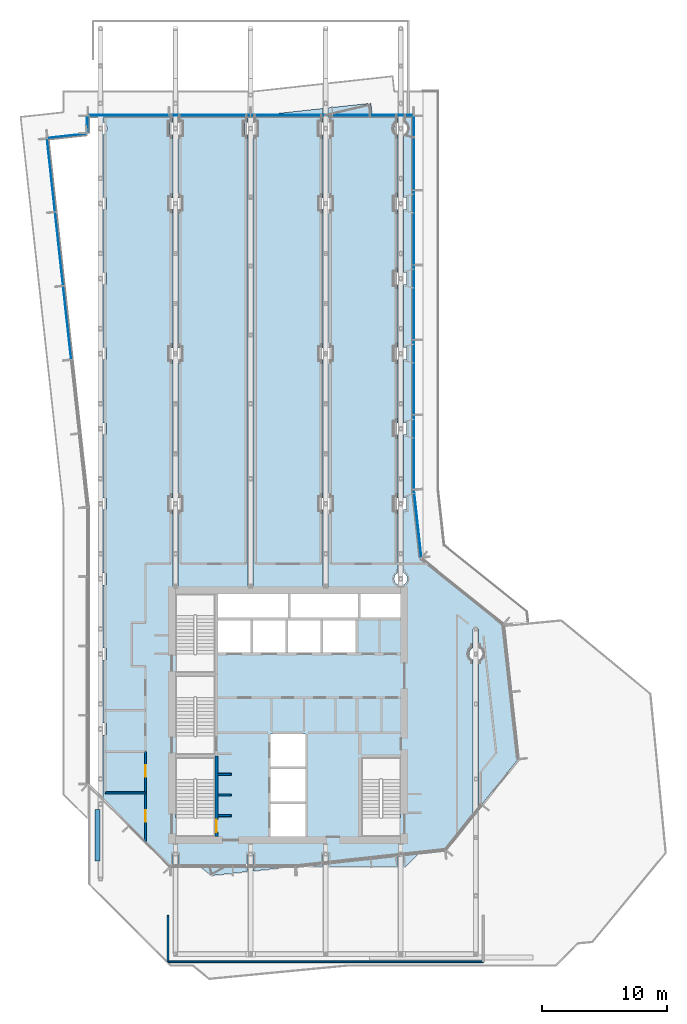
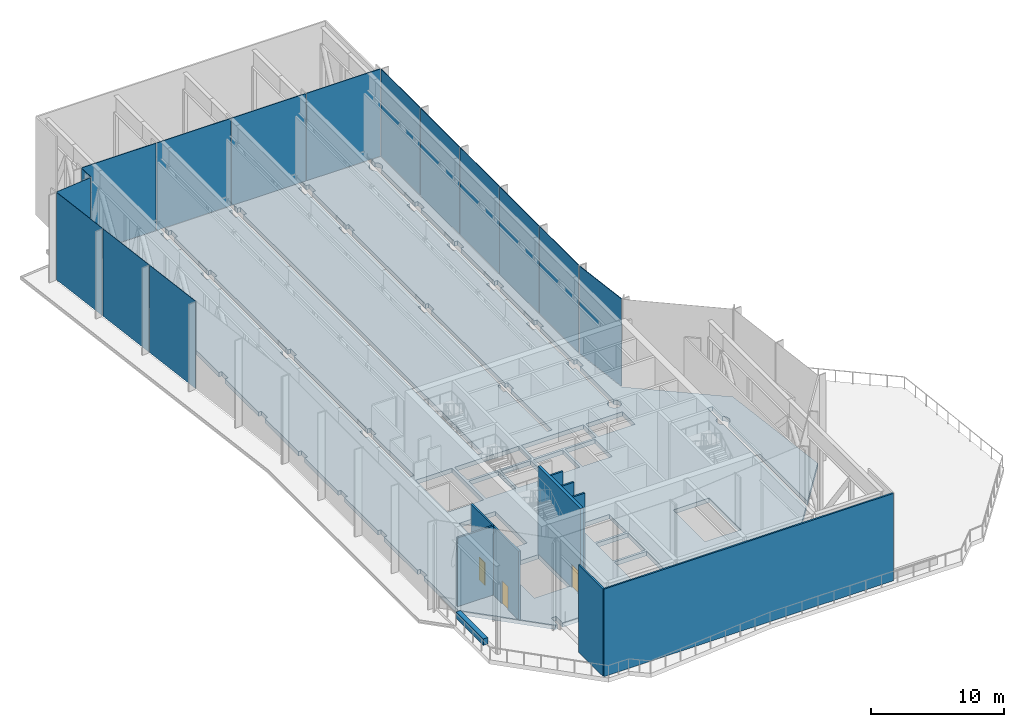
# One storey, part 11 of 22: 15 plates, 10 walls, 3 doors, 1 slab, 3 openings, 6 elements without a shape of their own.
"""IFC4 building model written with IfcOpenShell, lengths in metres."""

from ifc_helpers import new_model, si_unit, direction, frame, frame_2d, origin, origin_2d, place, context, subcontext, project, spatial, polyline, rectangle, outline, extrude, material, layer, layer_set, type_object, element, fill, aggregate, save


model = new_model("IFC4")

# Units and contexts
model_context = context("Model", 3, precision=1e-05, world=origin(), true_north=direction((0.0, 1.0)))
body_context = subcontext(model_context, "Body", "Model", "MODEL_VIEW")
ifc_project = project(units=[si_unit("LENGTHUNIT", "METRE"), si_unit("AREAUNIT", "SQUARE_METRE"), si_unit("VOLUMEUNIT", "CUBIC_METRE"), si_unit("PLANEANGLEUNIT", "RADIAN"), si_unit("MASSUNIT", "GRAM", prefix="KILO")], contexts=[model_context])

# Site, building, storey
site_placement = place(None, origin())
site = spatial("IfcSite", under=ifc_project, at=site_placement, CompositionType="ELEMENT")
building_placement = place(site_placement, origin())
building = spatial("IfcBuilding", under=site, at=building_placement, Name="Welwitschia Terrace Campus", CompositionType="ELEMENT")
storey_placement = place(building_placement, frame((0.0, 0.0, 197.0)))
storey = spatial("IfcBuildingStorey", under=building, at=storey_placement, Name="L44", CompositionType="ELEMENT", Elevation=197.0)

# Curtain wall, plate
ifc_material_1 = material(Name="Bronze anodised aluminium", Category="aluminium")
ifc_layer_1 = layer(ifc_material_1, 0.159912109375)
ifc_layer_set_1 = layer_set([ifc_layer_1], Name="Bronze anodised aluminium")
curtain_wall_type = type_object("IfcCurtainWallType", Name="Curtain wall CW3 commons 6000", PredefinedType="NOTDEFINED", material=ifc_layer_set_1)
curtain_wall_1_placement = place(storey_placement, origin())
curtain_wall_1 = element("IfcCurtainWall", 1, at=curtain_wall_1_placement, inside=storey, type_object=curtain_wall_type, Name="CW L44.7.0", PredefinedType="NOTDEFINED")
ifc_material_2 = material(Name="Tinted bronze-grey glass", Category="glass")
ifc_layer_2 = layer(ifc_material_2, 0.031982421875)
ifc_layer_set_2 = layer_set([ifc_layer_2], Name="Tinted bronze-grey glass")
plate_type_1 = type_object("IfcPlateType", Name="Glass panel 32 tinted", PredefinedType="CURTAIN_PANEL", material=ifc_layer_set_2)
plate_1_placement = place(storey_placement, frame((-2.666259765625, 61.40966796875, 0.0), z_axis=(0.0, 0.0, 1.0), x_axis=(-0.994056338222, -0.108866874852, 0.0)))
plate_1 = element("IfcPlate", 2, at=plate_1_placement, type_object=plate_type_1, Name="Panel L44.7.0.0", PredefinedType="CURTAIN_PANEL", context=body_context, shape_type="SweptSolid", body=[
    extrude(rectangle(XDim=3.132080078125, YDim=0.031982421875, at=origin_2d()), origin(), (0.0, 0.0, 1.0), 8.050048828125),
])
aggregate(curtain_wall_1, [plate_1])

# Curtain wall, plates
curtain_wall_2_placement = place(storey_placement, origin())
curtain_wall_2 = element("IfcCurtainWall", 3, at=curtain_wall_2_placement, inside=storey, type_object=curtain_wall_type, Name="CW L44.8.0", PredefinedType="NOTDEFINED")
plate_2_placement = place(storey_placement, frame((-3.957763671875, 58.265869140625, 0.0), z_axis=(0.0, 0.0, 1.0), x_axis=(0.108866874852, -0.994056338222, 0.0)))
plate_2 = element("IfcPlate", 4, at=plate_2_placement, type_object=plate_type_1, Name="Panel L44.8.0.0", PredefinedType="CURTAIN_PANEL", context=body_context, shape_type="SweptSolid", body=[
    extrude(rectangle(XDim=5.848876953125, YDim=0.031982421875, at=origin_2d()), origin(), (0.0, 0.0, 1.0), 8.050048828125),
])
plate_3_placement = place(storey_placement, frame((-3.31298828125, 52.377197265625, 0.0), z_axis=(0.0, 0.0, 1.0), x_axis=(0.108866874852, -0.994056338222, 0.0)))
plate_3 = element("IfcPlate", 5, at=plate_3_placement, type_object=plate_type_1, Name="Panel L44.8.0.1", PredefinedType="CURTAIN_PANEL", context=body_context, shape_type="SweptSolid", body=[
    extrude(rectangle(XDim=5.87890625, YDim=0.031982421875, at=origin_2d()), origin(), (0.0, 0.0, 1.0), 8.050048828125),
])
plate_4_placement = place(storey_placement, frame((-2.666259765625, 46.4736328125, 0.0), z_axis=(0.0, 0.0, 1.0), x_axis=(0.108866874852, -0.994056338222, 0.0)))
plate_4 = element("IfcPlate", 6, at=plate_4_placement, type_object=plate_type_1, Name="Panel L44.8.0.2", PredefinedType="CURTAIN_PANEL", context=body_context, shape_type="SweptSolid", body=[
    extrude(rectangle(XDim=5.87890625, YDim=0.031982421875, at=origin_2d()), origin(), (0.0, 0.0, 1.0), 8.050048828125),
])
aggregate(curtain_wall_2, [plate_2, plate_3, plate_4])

# Curtain wall, plate
curtain_wall_3_placement = place(storey_placement, origin())
curtain_wall_3 = element("IfcCurtainWall", 7, at=curtain_wall_3_placement, inside=storey, type_object=curtain_wall_type, Name="CW L44.3.0", PredefinedType="NOTDEFINED")
ifc_material_3 = material(Name="Bronze anodised insulated metal panel")
ifc_layer_3 = layer(ifc_material_3, 0.06005859375)
ifc_layer_set_3 = layer_set([ifc_layer_3], Name="Bronze anodised insulated metal panel")
plate_type_2 = type_object("IfcPlateType", Name="Insulated metal panel 60", PredefinedType="CURTAIN_PANEL", material=ifc_layer_set_3)
plate_5_placement = place(storey_placement, frame((25.34912109375, 30.407958984375, 0.0), z_axis=(0.0, 0.0, 1.0), x_axis=(-0.108866874852, 0.994056338222, 0.0)))
plate_5 = element("IfcPlate", 8, at=plate_5_placement, type_object=plate_type_2, Name="Panel L44.3.0.0", PredefinedType="CURTAIN_PANEL", context=body_context, shape_type="SweptSolid", body=[
    extrude(rectangle(XDim=5.37548828125, YDim=0.06005859375, at=origin_2d()), origin(), (0.0, 0.0, 1.0), 8.050048828125),
])
aggregate(curtain_wall_3, [plate_5])

# Curtain wall, plates
curtain_wall_4_placement = place(storey_placement, origin())
curtain_wall_4 = element("IfcCurtainWall", 9, at=curtain_wall_4_placement, inside=storey, type_object=curtain_wall_type, Name="CW L44.4.0", PredefinedType="NOTDEFINED")
plate_6_placement = place(storey_placement, frame((25.050048828125, 36.1455078125, 0.0), z_axis=(0.0, 0.0, 1.0), x_axis=(0.0, 1.0, 0.0)))
plate_6 = element("IfcPlate", 10, at=plate_6_placement, type_object=plate_type_2, Name="Panel L44.4.0.0", PredefinedType="CURTAIN_PANEL", context=body_context, shape_type="SweptSolid", body=[
    extrude(rectangle(XDim=5.89208984375, YDim=0.06005859375, at=origin_2d()), origin(), (0.0, 0.0, 1.0), 8.050048828125),
])
plate_7_placement = place(storey_placement, frame((25.050048828125, 42.112548828125, 0.0), z_axis=(0.0, 0.0, 1.0), x_axis=(0.0, 1.0, 0.0)))
plate_7 = element("IfcPlate", 11, at=plate_7_placement, type_object=plate_type_2, Name="Panel L44.4.0.1", PredefinedType="CURTAIN_PANEL", context=body_context, shape_type="SweptSolid", body=[
    extrude(rectangle(XDim=5.922119140625, YDim=0.06005859375, at=origin_2d()), origin(), (0.0, 0.0, 1.0), 8.050048828125),
])
plate_8_placement = place(storey_placement, frame((25.050048828125, 48.0947265625, 0.0), z_axis=(0.0, 0.0, 1.0), x_axis=(0.0, 1.0, 0.0)))
plate_8 = element("IfcPlate", 12, at=plate_8_placement, type_object=plate_type_2, Name="Panel L44.4.0.2", PredefinedType="CURTAIN_PANEL", context=body_context, shape_type="SweptSolid", body=[
    extrude(rectangle(XDim=5.922119140625, YDim=0.06005859375, at=origin_2d()), origin(), (0.0, 0.0, 1.0), 8.050048828125),
])
plate_9_placement = place(storey_placement, frame((25.050048828125, 54.076904296875, 0.0), z_axis=(0.0, 0.0, 1.0), x_axis=(0.0, 1.0, 0.0)))
plate_9 = element("IfcPlate", 13, at=plate_9_placement, type_object=plate_type_2, Name="Panel L44.4.0.3", PredefinedType="CURTAIN_PANEL", context=body_context, shape_type="SweptSolid", body=[
    extrude(rectangle(XDim=5.922119140625, YDim=0.06005859375, at=origin_2d()), origin(), (0.0, 0.0, 1.0), 8.050048828125),
])
plate_10_placement = place(storey_placement, frame((25.050048828125, 60.0439453125, 0.0), z_axis=(0.0, 0.0, 1.0), x_axis=(0.0, 1.0, 0.0)))
plate_10 = element("IfcPlate", 14, at=plate_10_placement, type_object=plate_type_2, Name="Panel L44.4.0.4", PredefinedType="CURTAIN_PANEL", context=body_context, shape_type="SweptSolid", body=[
    extrude(rectangle(XDim=5.89208984375, YDim=0.06005859375, at=origin_2d()), origin(), (0.0, 0.0, 1.0), 8.050048828125),
])
aggregate(curtain_wall_4, [plate_6, plate_7, plate_8, plate_9, plate_10])

curtain_wall_5_placement = place(storey_placement, origin())
curtain_wall_5 = element("IfcCurtainWall", 15, at=curtain_wall_5_placement, inside=storey, type_object=curtain_wall_type, Name="CW L44.5.0", PredefinedType="NOTDEFINED")
plate_11_placement = place(storey_placement, frame((21.7724609375, 63.050048828125, 0.0), z_axis=(0.0, 0.0, 1.0), x_axis=(-1.0, 0.0, 0.0)))
plate_11 = element("IfcPlate", 16, at=plate_11_placement, type_object=plate_type_2, Name="Panel L44.5.0.0", PredefinedType="CURTAIN_PANEL", context=body_context, shape_type="SweptSolid", body=[
    extrude(rectangle(XDim=6.43505859375, YDim=0.06005859375, at=origin_2d()), origin(), (0.0, 0.0, 1.0), 8.050048828125),
])
plate_12_placement = place(storey_placement, frame((15.262451171875, 63.050048828125, 0.0), z_axis=(0.0, 0.0, 1.0), x_axis=(-1.0, 0.0, 0.0)))
plate_12 = element("IfcPlate", 17, at=plate_12_placement, type_object=plate_type_2, Name="Panel L44.5.0.1", PredefinedType="CURTAIN_PANEL", context=body_context, shape_type="SweptSolid", body=[
    extrude(rectangle(XDim=6.465087890625, YDim=0.06005859375, at=origin_2d()), origin(), (0.0, 0.0, 1.0), 8.050048828125),
])
plate_13_placement = place(storey_placement, frame((8.737548828125, 63.050048828125, 0.0), z_axis=(0.0, 0.0, 1.0), x_axis=(-1.0, 0.0, 0.0)))
plate_13 = element("IfcPlate", 18, at=plate_13_placement, type_object=plate_type_2, Name="Panel L44.5.0.2", PredefinedType="CURTAIN_PANEL", context=body_context, shape_type="SweptSolid", body=[
    extrude(rectangle(XDim=6.465087890625, YDim=0.06005859375, at=origin_2d()), origin(), (0.0, 0.0, 1.0), 8.050048828125),
])
plate_14_placement = place(storey_placement, frame((2.2275390625, 63.050048828125, 0.0), z_axis=(0.0, 0.0, 1.0), x_axis=(-1.0, 0.0, 0.0)))
plate_14 = element("IfcPlate", 19, at=plate_14_placement, type_object=plate_type_2, Name="Panel L44.5.0.3", PredefinedType="CURTAIN_PANEL", context=body_context, shape_type="SweptSolid", body=[
    extrude(rectangle(XDim=6.43505859375, YDim=0.06005859375, at=origin_2d()), origin(), (0.0, 0.0, 1.0), 8.050048828125),
])
aggregate(curtain_wall_5, [plate_11, plate_12, plate_13, plate_14])

# Curtain wall, plate
curtain_wall_6_placement = place(storey_placement, origin())
curtain_wall_6 = element("IfcCurtainWall", 20, at=curtain_wall_6_placement, inside=storey, type_object=curtain_wall_type, Name="CW L44.6.0", PredefinedType="NOTDEFINED")
plate_15_placement = place(storey_placement, frame((-1.050048828125, 62.318359375, 0.0), z_axis=(0.0, 0.0, 1.0), x_axis=(0.0, -1.0, 0.0)))
plate_15 = element("IfcPlate", 21, at=plate_15_placement, type_object=plate_type_2, Name="Panel L44.6.0.0", PredefinedType="CURTAIN_PANEL", context=body_context, shape_type="SweptSolid", body=[
    extrude(rectangle(XDim=1.34326171875, YDim=0.06005859375, at=origin_2d()), origin(), (0.0, 0.0, 1.0), 8.050048828125),
])
aggregate(curtain_wall_6, [plate_15])

# Slab
ifc_material_4 = material(Name="Concrete C40/50", Category="concrete")
ifc_layer_4 = layer(ifc_material_4, 0.39990234375)
ifc_layer_set_4 = layer_set([ifc_layer_4], Name="Concrete C40/50")
slab_type = type_object("IfcSlabType", Name="Suspended floor slab 400", PredefinedType="FLOOR", material=ifc_layer_set_4)
slab_placement = place(storey_placement, frame((0.0, 0.0, -0.39990234375)))
element("IfcSlab", 22, at=slab_placement, inside=storey, type_object=slab_type, Name="Floor slab L44", PredefinedType="FLOOR", context=body_context, shape_type="SweptSolid", body=[
    extrude(outline(polyline([(24.2099609375, 4.0), (23.7900390625, 4.0), (23.7900390625, 3.014892578125), (18.2099609375, 3.014892578125), (18.2099609375, 4.0), (17.7900390625, 4.0), (17.7900390625, 3.014892578125), (15.58984375, 3.014892578125), (15.588134765625, 3.014892578125), (12.2099609375, 2.64501953125), (12.2099609375, 4.0), (11.7900390625, 4.0), (11.7900390625, 2.5859375), (11.777099609375, 2.5859375), (11.788330078125, 2.5986328125), (11.788330078125, 2.598876953125), (8.85546875, 2.277587890625), (7.94091796875, 3.01171875), (7.939697265625, 3.012451171875), (7.9384765625, 3.01318359375), (7.937255859375, 3.013916015625), (7.935791015625, 3.014404296875), (7.934326171875, 3.0146484375), (7.932861328125, 3.014892578125), (7.931396484375, 3.014892578125), (6.2099609375, 3.014892578125), (6.2099609375, 4.0), (5.7900390625, 4.0), (5.7900390625, 3.014892578125), (5.592041015625, 3.014892578125), (0.220703125, 8.386474609375), (0.220458984375, 8.38623046875), (0.2236328125, 8.378662109375), (0.2099609375, 8.378662109375), (0.2099609375, 13.52490234375), (0.47509765625, 13.52490234375), (0.47509765625, 14.47509765625), (0.2099609375, 14.47509765625), (0.2099609375, 19.52490234375), (0.47509765625, 19.52490234375), (0.47509765625, 20.47509765625), (0.2099609375, 20.47509765625), (0.2099609375, 25.52490234375), (0.47509765625, 25.52490234375), (0.47509765625, 26.47509765625), (0.2099609375, 26.47509765625), (0.2099609375, 31.52490234375), (0.47509765625, 31.52490234375), (0.47509765625, 32.47509765625), (0.2099609375, 32.47509765625), (0.2099609375, 37.52490234375), (0.47509765625, 37.52490234375), (0.47509765625, 38.47509765625), (0.2099609375, 38.47509765625), (0.2099609375, 43.52490234375), (0.47509765625, 43.52490234375), (0.47509765625, 44.47509765625), (0.2099609375, 44.47509765625), (0.2099609375, 49.52490234375), (0.47509765625, 49.52490234375), (0.47509765625, 50.47509765625), (0.2099609375, 50.47509765625), (0.2099609375, 55.52490234375), (0.47509765625, 55.52490234375), (0.47509765625, 56.47509765625), (0.2099609375, 56.47509765625), (0.2099609375, 61.519775390625), (0.291748046875, 61.5634765625), (0.371337890625, 61.628662109375), (0.4365234375, 61.708251953125), (0.485107421875, 61.799072265625), (0.514892578125, 61.8974609375), (0.52490234375, 62.0), (0.514892578125, 62.1025390625), (0.485107421875, 62.200927734375), (0.4365234375, 62.291748046875), (0.371337890625, 62.371337890625), (0.291748046875, 62.4365234375), (0.2099609375, 62.480224609375), (0.2099609375, 63.0), (5.7900390625, 63.0), (5.7900390625, 62.47509765625), (5.52490234375, 62.47509765625), (5.52490234375, 61.52490234375), (5.7900390625, 61.52490234375), (5.7900390625, 56.449951171875), (5.550048828125, 56.449951171875), (5.550048828125, 55.550048828125), (5.7900390625, 55.550048828125), (5.7900390625, 44.449951171875), (5.550048828125, 44.449951171875), (5.550048828125, 43.550048828125), (5.7900390625, 43.550048828125), (5.7900390625, 32.449951171875), (5.550048828125, 32.449951171875), (5.550048828125, 31.550048828125), (5.7900390625, 31.550048828125), (5.7900390625, 25.39990234375), (6.2099609375, 25.39990234375), (6.2099609375, 31.550048828125), (6.449951171875, 31.550048828125), (6.449951171875, 32.449951171875), (6.2099609375, 32.449951171875), (6.2099609375, 43.550048828125), (6.449951171875, 43.550048828125), (6.449951171875, 44.449951171875), (6.2099609375, 44.449951171875), (6.2099609375, 55.550048828125), (6.449951171875, 55.550048828125), (6.449951171875, 56.449951171875), (6.2099609375, 56.449951171875), (6.2099609375, 61.52490234375), (6.47509765625, 61.52490234375), (6.47509765625, 62.47509765625), (6.2099609375, 62.47509765625), (6.2099609375, 63.0), (11.7900390625, 63.0), (11.7900390625, 62.47509765625), (11.52490234375, 62.47509765625), (11.52490234375, 61.52490234375), (11.7900390625, 61.52490234375), (11.7900390625, 25.39990234375), (12.2099609375, 25.39990234375), (12.2099609375, 61.52490234375), (12.47509765625, 61.52490234375), (12.47509765625, 62.47509765625), (12.2099609375, 62.47509765625), (12.2099609375, 63.0), (12.31396484375, 63.0), (17.7900390625, 63.599609375), (17.7900390625, 62.47509765625), (17.52490234375, 62.47509765625), (17.52490234375, 61.52490234375), (17.7900390625, 61.52490234375), (17.7900390625, 56.449951171875), (17.550048828125, 56.449951171875), (17.550048828125, 55.550048828125), (17.7900390625, 55.550048828125), (17.7900390625, 44.449951171875), (17.550048828125, 44.449951171875), (17.550048828125, 43.550048828125), (17.7900390625, 43.550048828125), (17.7900390625, 32.449951171875), (17.550048828125, 32.449951171875), (17.550048828125, 31.550048828125), (17.7900390625, 31.550048828125), (17.7900390625, 25.39990234375), (18.2099609375, 25.39990234375), (18.2099609375, 31.550048828125), (18.449951171875, 31.550048828125), (18.449951171875, 32.449951171875), (18.2099609375, 32.449951171875), (18.2099609375, 43.550048828125), (18.449951171875, 43.550048828125), (18.449951171875, 44.449951171875), (18.2099609375, 44.449951171875), (18.2099609375, 55.550048828125), (18.449951171875, 55.550048828125), (18.449951171875, 56.449951171875), (18.2099609375, 56.449951171875), (18.2099609375, 61.52490234375), (18.47509765625, 61.52490234375), (18.47509765625, 62.47509765625), (18.2099609375, 62.47509765625), (18.2099609375, 63.645751953125), (21.617919921875, 64.01904296875), (21.7294921875, 63.0), (23.7900390625, 63.0), (23.7900390625, 62.480224609375), (23.708251953125, 62.4365234375), (23.628662109375, 62.371337890625), (23.5634765625, 62.291748046875), (23.514892578125, 62.200927734375), (23.485107421875, 62.1025390625), (23.47509765625, 62.0), (23.485107421875, 61.8974609375), (23.514892578125, 61.799072265625), (23.5634765625, 61.708251953125), (23.628662109375, 61.628662109375), (23.708251953125, 61.5634765625), (23.7900390625, 61.519775390625), (23.7900390625, 56.47509765625), (23.52490234375, 56.47509765625), (23.52490234375, 55.52490234375), (23.7900390625, 55.52490234375), (23.7900390625, 50.47509765625), (23.52490234375, 50.47509765625), (23.52490234375, 49.52490234375), (23.7900390625, 49.52490234375), (23.7900390625, 44.47509765625), (23.52490234375, 44.47509765625), (23.52490234375, 43.52490234375), (23.7900390625, 43.52490234375), (23.7900390625, 38.47509765625), (23.52490234375, 38.47509765625), (23.52490234375, 37.52490234375), (23.7900390625, 37.52490234375), (23.7900390625, 32.47509765625), (23.52490234375, 32.47509765625), (23.52490234375, 31.52490234375), (23.7900390625, 31.52490234375), (23.7900390625, 26.480224609375), (23.708251953125, 26.4365234375), (23.628662109375, 26.371337890625), (23.5634765625, 26.291748046875), (23.514892578125, 26.200927734375), (23.485107421875, 26.1025390625), (23.47509765625, 26.0), (23.485107421875, 25.8974609375), (23.514892578125, 25.799072265625), (23.5634765625, 25.708251953125), (23.628662109375, 25.628662109375), (23.708251953125, 25.5634765625), (23.799072265625, 25.514892578125), (23.8974609375, 25.485107421875), (24.0, 25.47509765625), (24.1025390625, 25.485107421875), (24.200927734375, 25.514892578125), (24.291748046875, 25.5634765625), (24.371337890625, 25.628662109375), (24.4365234375, 25.708251953125), (24.485107421875, 25.799072265625), (24.514892578125, 25.8974609375), (24.52490234375, 26.0), (24.514892578125, 26.1025390625), (24.485107421875, 26.200927734375), (24.4365234375, 26.291748046875), (24.371337890625, 26.371337890625), (24.291748046875, 26.4365234375), (24.2099609375, 26.480224609375), (24.2099609375, 31.52490234375), (24.47509765625, 31.52490234375), (24.47509765625, 32.47509765625), (24.2099609375, 32.47509765625), (24.2099609375, 37.52490234375), (24.47509765625, 37.52490234375), (24.47509765625, 38.47509765625), (24.2099609375, 38.47509765625), (24.2099609375, 43.52490234375), (24.47509765625, 43.52490234375), (24.47509765625, 44.47509765625), (24.2099609375, 44.47509765625), (24.2099609375, 49.52490234375), (24.47509765625, 49.52490234375), (24.47509765625, 50.47509765625), (24.2099609375, 50.47509765625), (24.2099609375, 55.52490234375), (24.47509765625, 55.52490234375), (24.47509765625, 56.47509765625), (24.2099609375, 56.47509765625), (24.2099609375, 61.519775390625), (24.291748046875, 61.5634765625), (24.371337890625, 61.628662109375), (24.4365234375, 61.708251953125), (24.485107421875, 61.799072265625), (24.514892578125, 61.8974609375), (24.52490234375, 62.0), (24.514892578125, 62.1025390625), (24.485107421875, 62.200927734375), (24.4365234375, 62.291748046875), (24.371337890625, 62.371337890625), (24.291748046875, 62.4365234375), (24.2099609375, 62.480224609375), (24.2099609375, 63.0), (25.0, 63.0), (25.0, 33.13671875), (25.600830078125, 27.650634765625), (32.21826171875, 22.33935546875), (32.219970703125, 22.325439453125), (32.205078125, 22.32373046875), (33.381591796875, 11.579833984375), (30.2099609375, 7.628173828125), (30.2099609375, 19.519775390625), (30.291748046875, 19.5634765625), (30.371337890625, 19.628662109375), (30.4365234375, 19.708251953125), (30.485107421875, 19.799072265625), (30.514892578125, 19.8974609375), (30.52490234375, 20.0), (30.514892578125, 20.1025390625), (30.485107421875, 20.200927734375), (30.4365234375, 20.291748046875), (30.371337890625, 20.371337890625), (30.291748046875, 20.4365234375), (30.2099609375, 20.480224609375), (30.2099609375, 22.0), (29.7900390625, 22.0), (29.7900390625, 20.480224609375), (29.708251953125, 20.4365234375), (29.628662109375, 20.371337890625), (29.5634765625, 20.291748046875), (29.514892578125, 20.200927734375), (29.485107421875, 20.1025390625), (29.47509765625, 20.0), (29.485107421875, 19.8974609375), (29.514892578125, 19.799072265625), (29.5634765625, 19.708251953125), (29.628662109375, 19.628662109375), (29.708251953125, 19.5634765625), (29.7900390625, 19.519775390625), (29.7900390625, 7.083984375), (29.7763671875, 7.083984375), (29.778564453125, 7.090087890625), (29.7783203125, 7.09033203125), (27.559814453125, 4.325927734375), (25.497802734375, 4.10009765625), (25.496337890625, 4.099853515625), (25.4951171875, 4.099609375), (25.49365234375, 4.09912109375), (25.492431640625, 4.098388671875), (25.4912109375, 4.09765625), (25.489990234375, 4.096923828125), (25.489013671875, 4.095947265625), (24.407958984375, 3.014892578125), (24.2099609375, 3.014892578125), (24.2099609375, 4.0)]), holes=[polyline([(9.14990234375, 13.451904296875), (9.14990234375, 18.25), (6.0, 18.25), (6.0, 13.451904296875), (9.14990234375, 13.451904296875)]), polyline([(16.39990234375, 5.39990234375), (16.39990234375, 8.0), (13.60009765625, 8.0), (13.60009765625, 5.39990234375), (16.39990234375, 5.39990234375)]), polyline([(9.14990234375, 6.902099609375), (9.14990234375, 11.699951171875), (6.0, 11.699951171875), (6.0, 6.902099609375), (9.14990234375, 6.902099609375)]), polyline([(16.39990234375, 8.199951171875), (16.39990234375, 10.800048828125), (13.60009765625, 10.800048828125), (13.60009765625, 8.199951171875), (16.39990234375, 8.199951171875)]), polyline([(16.39990234375, 11.0), (16.39990234375, 13.60009765625), (13.60009765625, 13.60009765625), (13.60009765625, 11.0), (16.39990234375, 11.0)]), polyline([(14.800048828125, 20.10009765625), (14.800048828125, 22.699951171875), (12.199951171875, 22.699951171875), (12.199951171875, 20.10009765625), (14.800048828125, 20.10009765625)]), polyline([(12.0, 20.10009765625), (12.0, 22.699951171875), (9.39990234375, 22.699951171875), (9.39990234375, 20.10009765625), (12.0, 20.10009765625)]), polyline([(17.60009765625, 22.699951171875), (15.0, 22.699951171875), (15.0, 20.10009765625), (17.60009765625, 20.10009765625), (17.60009765625, 22.699951171875)]), polyline([(9.14990234375, 20.001953125), (9.14990234375, 24.800048828125), (6.0, 24.800048828125), (6.0, 20.001953125), (9.14990234375, 20.001953125)]), polyline([(15.0, 22.89990234375), (15.0, 24.800048828125), (9.39990234375, 24.800048828125), (9.39990234375, 22.89990234375), (15.0, 22.89990234375)]), polyline([(20.60009765625, 24.800048828125), (15.199951171875, 24.800048828125), (15.199951171875, 22.89990234375), (20.60009765625, 22.89990234375), (20.60009765625, 24.800048828125)]), polyline([(24.0, 6.902099609375), (24.0, 11.699951171875), (20.85009765625, 11.699951171875), (20.85009765625, 6.902099609375), (24.0, 6.902099609375)]), polyline([(20.39990234375, 20.10009765625), (20.39990234375, 22.699951171875), (17.800048828125, 22.699951171875), (17.800048828125, 20.10009765625), (20.39990234375, 20.10009765625)]), polyline([(24.0, 22.89990234375), (24.0, 24.800048828125), (20.800048828125, 24.800048828125), (20.800048828125, 22.89990234375), (24.0, 22.89990234375)])]), origin(), (0.0, 0.0, 1.0), 0.39990234375),
])

# Walls
ifc_material_5 = material(Name="Concrete C40/50", Category="concrete")
ifc_layer_5 = layer(ifc_material_5, 0.139892578125)
ifc_layer_set_5 = layer_set([ifc_layer_5], Name="Concrete C40/50")
wall_type_1 = type_object("IfcWallType", Name="Clad wall 140", PredefinedType="SOLIDWALL", material=ifc_layer_set_5)
wall_1_placement = place(storey_placement, frame((5.39990234375, -4.60009765625, 0.0), z_axis=(0.0, 0.0, 1.0), x_axis=(1.0, 0.0, 0.0)))
element("IfcWall", 23, at=wall_1_placement, inside=storey, type_object=wall_type_1, Name="Clad wall L44.tip fascia Sb1 end", PredefinedType="SOLIDWALL", context=body_context, shape_type="SweptSolid", body=[
    extrude(rectangle(XDim=25.2001953125, YDim=0.139892578125, at=frame_2d((12.60009765625, 0.0))), origin(), (0.0, 0.0, 1.0), 8.050048828125),
])
wall_2_placement = place(storey_placement, frame((5.39990234375, -0.89990234375, 0.0), z_axis=(0.0, 0.0, 1.0), x_axis=(0.0, -1.0, 0.0)))
element("IfcWall", 24, at=wall_2_placement, inside=storey, type_object=wall_type_1, Name="Clad wall L44.tip fascia Sb1 w", PredefinedType="SOLIDWALL", context=body_context, shape_type="SweptSolid", body=[
    extrude(rectangle(XDim=3.7001953125, YDim=0.139892578125, at=frame_2d((1.85009765625, 0.0))), origin(), (0.0, 0.0, 1.0), 8.050048828125),
])
ifc_material_6 = material(Name="Concrete C50/60", Category="concrete")
ifc_layer_6 = layer(ifc_material_6, 0.14990234375)
ifc_layer_set_6 = layer_set([ifc_layer_6], Name="Concrete C50/60")
wall_type_2 = type_object("IfcWallType", Name="Core wall 150 Concrete C50/60", PredefinedType="SHEAR", material=ifc_layer_set_6)
for number, where, z_axis, x_axis, name in (
    (25, (9.39990234375, 7.074951171875, 0.0), (0.0, 0.0, 1.0), (1.0, 0.0, 0.0), "Core wall"),
    (26, (9.39990234375, 8.72509765625, 0.0), (0.0, 0.0, 1.0), (1.0, 0.0, 0.0), "Core wall"),
    (27, (9.39990234375, 10.375, 0.0), (0.0, 0.0, 1.0), (1.0, 0.0, 0.0), "Core wall"),
):
    element("IfcWall", number, at=place(storey_placement, frame(where, z_axis=z_axis, x_axis=x_axis)), inside=storey, type_object=wall_type_2, Name=name, PredefinedType="SHEAR", context=body_context, shape_type="SweptSolid", body=[
        extrude(rectangle(XDim=1.050048828125, YDim=0.14990234375, at=frame_2d((0.52490234375, 0.0))), origin(), (0.0, 0.0, 1.0), 8.050048828125),
    ])

# Wall, opening, door
ifc_material_7 = material(Name="Concrete C50/60", Category="concrete")
ifc_layer_7 = layer(ifc_material_7, 0.25)
ifc_layer_set_7 = layer_set([ifc_layer_7], Name="Concrete C50/60")
wall_type_3 = type_object("IfcWallType", Name="Core wall 250 Concrete C50/60", PredefinedType="SHEAR", material=ifc_layer_set_7)
wall_3_placement = place(storey_placement, frame((9.27490234375, 11.824951171875, 0.0), z_axis=(0.0, 0.0, 1.0), x_axis=(0.0, -1.0, 0.0)))
wall_3 = element("IfcWall", 28, at=wall_3_placement, inside=storey, type_object=wall_type_3, Name="Core wall", PredefinedType="SHEAR", context=body_context, shape_type="SweptSolid", body=[
    extrude(rectangle(XDim=6.425048828125, YDim=0.25, at=frame_2d((3.21240234375, 0.0))), origin(), (0.0, 0.0, 1.0), 8.050048828125),
])
opening_1_placement = place(wall_3_placement, frame((5.074951171875, 0.0, 0.0)))
opening_1 = element("IfcOpeningElement", 29, at=opening_1_placement, cuts=wall_3, Name="Opening DS10", PredefinedType="OPENING", context=body_context, shape_type="SweptSolid", body=[
    extrude(rectangle(XDim=1.0, YDim=2.10009765625, at=frame_2d((0.5, 1.050048828125))), frame((0.0, 0.135009765625, 0.0), z_axis=(0.0, -1.0, 0.0), x_axis=(1.0, 0.0, 0.0)), (0.0, 0.0, 1.0), 0.27001953125),
])
ifc_material_8 = material(Name="Steel S275", Category="steel")
door_type_1 = type_object("IfcDoorType", Name="Core door DS10", OperationType="SINGLE_SWING_LEFT", PredefinedType="DOOR", material=ifc_material_8)
door_1_placement = place(opening_1_placement, origin())
door_1 = element("IfcDoor", 30, at=door_1_placement, inside=storey, type_object=door_type_1, Name="Door S1-FL", OperationType="SINGLE_SWING_RIGHT", OverallHeight=2.10009765625, OverallWidth=1.0, PredefinedType="DOOR", context=body_context, shape_type="SweptSolid", body=[
    extrude(rectangle(XDim=1.0, YDim=2.10009765625, at=frame_2d((0.5, 1.050048828125))), frame((0.0, 0.02490234375, 0.0), z_axis=(0.0, -1.0, 0.0), x_axis=(1.0, 0.0, 0.0)), (0.0, 0.0, 1.0), 0.050048828125),
])
fill(opening_1, door_1)

# Wall
ifc_material_9 = material(Name="Gypsum board on steel studs", Category="steel")
ifc_layer_8 = layer(ifc_material_9, 0.14990234375)
ifc_layer_set_8 = layer_set([ifc_layer_8], Name="Gypsum board on steel studs")
wall_type_4 = type_object("IfcWallType", Name="Corridor partition 150 EI 30", PredefinedType="PARTITIONING", material=ifc_layer_set_8)
wall_4_placement = place(storey_placement, frame((0.39990234375, 8.889892578125, 0.0), z_axis=(0.0, 0.0, 1.0), x_axis=(1.0, 0.0, 0.0)))
element("IfcWall", 31, at=wall_4_placement, inside=storey, type_object=wall_type_4, Name="Partition", PredefinedType="PARTITIONING", context=body_context, shape_type="SweptSolid", body=[
    extrude(rectangle(XDim=3.2001953125, YDim=0.14990234375, at=frame_2d((1.60009765625, 0.0))), origin(), (0.0, 0.0, 1.0), 6.330078125),
])

# Wall, opening, door
wall_5_placement = place(storey_placement, frame((3.60009765625, 4.989990234375, 0.0), z_axis=(0.0, 0.0, 1.0), x_axis=(0.0, 1.0, 0.0)))
wall_5 = element("IfcWall", 32, at=wall_5_placement, inside=storey, type_object=wall_type_4, Name="Partition", PredefinedType="PARTITIONING", context=body_context, shape_type="SweptSolid", body=[
    extrude(rectangle(XDim=3.89990234375, YDim=0.14990234375, at=frame_2d((1.949951171875, 0.0))), origin(), (0.0, 0.0, 1.0), 6.330078125),
])
opening_2_placement = place(wall_5_placement, frame((1.60009765625, 0.0, 0.0)))
opening_2 = element("IfcOpeningElement", 33, at=opening_2_placement, cuts=wall_5, Name="Opening DI09", PredefinedType="OPENING", context=body_context, shape_type="SweptSolid", body=[
    extrude(rectangle(XDim=0.89990234375, YDim=2.10009765625, at=frame_2d((0.449951171875, 1.050048828125))), frame((0.0, 0.0849609375, 0.0), z_axis=(0.0, -1.0, 0.0), x_axis=(1.0, 0.0, 0.0)), (0.0, 0.0, 1.0), 0.169921875),
])
ifc_material_10 = material(Name="Timber veneered door", Category="wood")
door_type_2 = type_object("IfcDoorType", Name="Interior door DI09", OperationType="NOTDEFINED", PredefinedType="DOOR", material=ifc_material_10)
door_2_placement = place(opening_2_placement, origin())
door_2 = element("IfcDoor", 34, at=door_2_placement, inside=storey, type_object=door_type_2, Name="Door L44 851", OperationType="SINGLE_SWING_RIGHT", OverallHeight=2.10009765625, OverallWidth=0.89990234375, PredefinedType="DOOR", context=body_context, shape_type="SweptSolid", body=[
    extrude(rectangle(XDim=0.89990234375, YDim=2.10009765625, at=frame_2d((0.449951171875, 1.050048828125))), frame((0.0, 0.02490234375, 0.0), z_axis=(0.0, -1.0, 0.0), x_axis=(1.0, 0.0, 0.0)), (0.0, 0.0, 1.0), 0.050048828125),
])
fill(opening_2, door_2)

wall_6_placement = place(storey_placement, frame((3.60009765625, 8.889892578125, 0.0), z_axis=(0.0, 0.0, 1.0), x_axis=(0.0, 1.0, 0.0)))
wall_6 = element("IfcWall", 35, at=wall_6_placement, inside=storey, type_object=wall_type_4, Name="Partition", PredefinedType="PARTITIONING", context=body_context, shape_type="SweptSolid", body=[
    extrude(rectangle(XDim=3.300048828125, YDim=0.14990234375, at=frame_2d((1.64990234375, 0.0))), origin(), (0.0, 0.0, 1.0), 6.330078125),
])
opening_3_placement = place(wall_6_placement, frame((1.300048828125, 0.0, 0.0)))
opening_3 = element("IfcOpeningElement", 36, at=opening_3_placement, cuts=wall_6, Name="Opening DI09", PredefinedType="OPENING", context=body_context, shape_type="SweptSolid", body=[
    extrude(rectangle(XDim=0.89990234375, YDim=2.10009765625, at=frame_2d((0.449951171875, 1.050048828125))), frame((0.0, 0.0849609375, 0.0), z_axis=(0.0, -1.0, 0.0), x_axis=(1.0, 0.0, 0.0)), (0.0, 0.0, 1.0), 0.169921875),
])
door_3_placement = place(opening_3_placement, origin())
door_3 = element("IfcDoor", 37, at=door_3_placement, inside=storey, type_object=door_type_2, Name="Door L44 852", OperationType="SINGLE_SWING_LEFT", OverallHeight=2.10009765625, OverallWidth=0.89990234375, PredefinedType="DOOR", context=body_context, shape_type="SweptSolid", body=[
    extrude(rectangle(XDim=0.89990234375, YDim=2.10009765625, at=frame_2d((0.449951171875, 1.050048828125))), frame((0.0, 0.02490234375, 0.0), z_axis=(0.0, -1.0, 0.0), x_axis=(1.0, 0.0, 0.0)), (0.0, 0.0, 1.0), 0.050048828125),
])
fill(opening_3, door_3)

# Wall
ifc_material_11 = material(Name="Concrete C40/50", Category="concrete")
ifc_layer_9 = layer(ifc_material_11, 0.39990234375)
ifc_layer_set_9 = layer_set([ifc_layer_9], Name="Concrete C40/50")
wall_type_5 = type_object("IfcWallType", Name="Planter wall 400", PredefinedType="SOLIDWALL", material=ifc_layer_set_9)
wall_7_placement = place(storey_placement, frame((-0.25, 3.42724609375, 0.0), z_axis=(0.0, 0.0, 1.0), x_axis=(0.0, 1.0, 0.0)))
element("IfcWall", 38, at=wall_7_placement, inside=storey, type_object=wall_type_5, Name="PLANTER", PredefinedType="SOLIDWALL", context=body_context, shape_type="SweptSolid", body=[
    extrude(rectangle(XDim=4.1171875, YDim=0.39990234375, at=frame_2d((2.05859375, 0.0))), origin(), (0.0, 0.0, 1.0), 0.60009765625),
])

save(model, "model.ifc")
